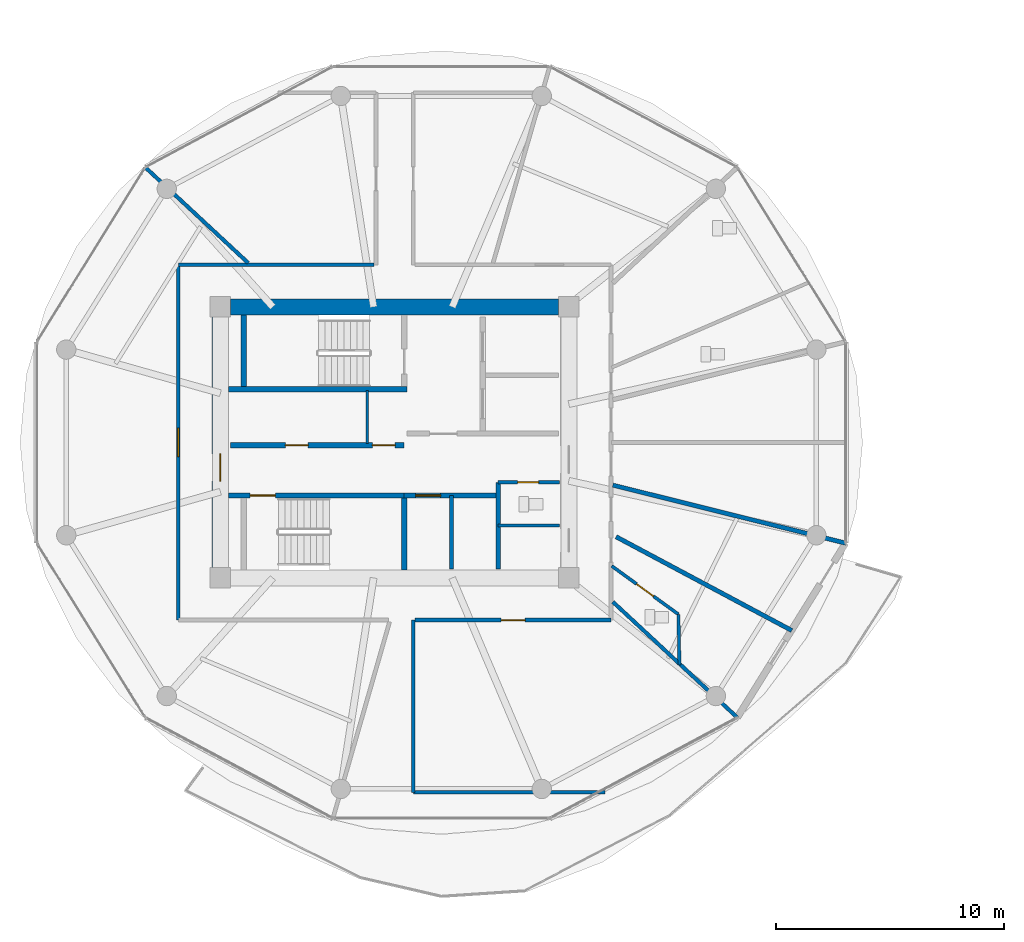
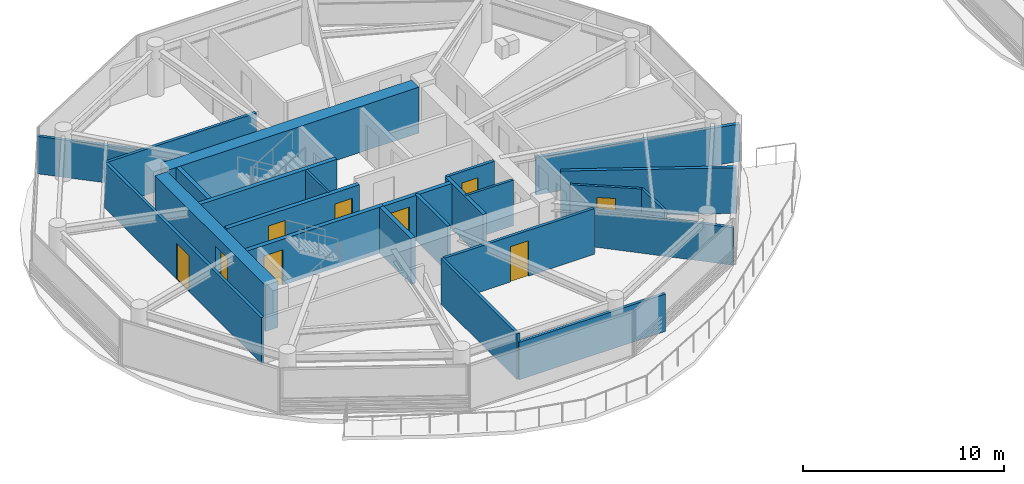
# One storey, part 13 of 24: 24 walls, 9 doors, 9 openings.
"""IFC4 building model written with IfcOpenShell, lengths in metres."""

from ifc_helpers import new_model, si_unit, direction, frame, frame_2d, origin, place, context, subcontext, project, spatial, rectangle, extrude, source, transform, mapped, material, layer, layer_set, type_object, type_shapes, element, fill, save


model = new_model("IFC4")

# Units and contexts
model_context = context("Model", 3, precision=1e-05, world=origin(), true_north=direction((0.0, 1.0)))
body_context = subcontext(model_context, "Body", "Model", "MODEL_VIEW")
ifc_project = project(units=[si_unit("LENGTHUNIT", "METRE"), si_unit("AREAUNIT", "SQUARE_METRE"), si_unit("VOLUMEUNIT", "CUBIC_METRE"), si_unit("PLANEANGLEUNIT", "RADIAN"), si_unit("MASSUNIT", "GRAM", prefix="KILO")], contexts=[model_context])

# Site, building, storey
site_placement = place(None, origin())
site = spatial("IfcSite", under=ifc_project, at=site_placement, CompositionType="ELEMENT")
building_placement = place(site_placement, origin())
building = spatial("IfcBuilding", under=site, at=building_placement, Name="Norrkilde Senior Care Towers", CompositionType="ELEMENT")
storey_placement = place(building_placement, frame((0.0, 0.0, 114.550048828125)))
storey = spatial("IfcBuildingStorey", under=building, at=storey_placement, Name="L35", CompositionType="ELEMENT", Elevation=114.550048828125)

# Wall
ifc_material_1 = material(Name="Concrete C60/75", Category="concrete")
ifc_layer_1 = layer(ifc_material_1, 0.719970703125)
ifc_layer_set_1 = layer_set([ifc_layer_1], Name="Concrete C60/75")
wall_type_1 = type_object("IfcWallType", Name="Core Shear Wall Z2 720", PredefinedType="SHEAR", material=ifc_layer_set_1)
shared_shape_1 = source(origin(), body_context, "Body", "SweptSolid", [
    extrude(rectangle(XDim=14.39990234375, YDim=0.719970703125, at=frame_2d((7.199951171875, 0.0))), origin(), (0.0, 0.0, 1.0), 2.7900390625),
])
wall_1_placement = place(storey_placement, frame((-35.199951171875, 5.949951171875, 0.0), z_axis=(0.0, 0.0, 1.0), x_axis=(1.0, 0.0, 0.0)))
element("IfcWall", 1, at=wall_1_placement, inside=storey, type_object=wall_type_1, Name="L35 Core W North Shear Wall", PredefinedType="SHEAR", context=body_context, shape_type="MappedRepresentation", body=[
    mapped(shared_shape_1, transform((0.0, 0.0, 0.0), x_axis=(1.0, 0.0, 0.0), y_axis=(0.0, 1.0, 0.0), z_axis=(0.0, 0.0, 1.0), scale=1.0)),
])

# Wall, opening, door
shared_shape_2 = source(origin(), body_context, "Body", "SweptSolid", [
    extrude(rectangle(XDim=11.0, YDim=0.719970703125, at=frame_2d((5.5, 0.0))), origin(), (0.0, 0.0, 1.0), 2.7900390625),
])
type_shapes(wall_type_1, [shared_shape_1, shared_shape_2])
wall_2_placement = place(storey_placement, frame((-35.64990234375, -5.5, 0.0), z_axis=(0.0, 0.0, 1.0), x_axis=(0.0, 1.0, 0.0)))
wall_2 = element("IfcWall", 2, at=wall_2_placement, inside=storey, type_object=wall_type_1, Name="L35 Core W West Shear Wall", PredefinedType="SHEAR", context=body_context, shape_type="MappedRepresentation", body=[
    mapped(shared_shape_2, transform((0.0, 0.0, 0.0), x_axis=(1.0, 0.0, 0.0), y_axis=(0.0, 1.0, 0.0), z_axis=(0.0, 0.0, 1.0), scale=1.0)),
])
opening_1_placement = place(wall_2_placement, frame((3.800048828125, 0.0, 0.0)))
opening_1 = element("IfcOpeningElement", 3, at=opening_1_placement, cuts=wall_2, Name="Opening D-04", PredefinedType="OPENING", context=body_context, shape_type="SweptSolid", body=[
    extrude(rectangle(XDim=1.199951171875, YDim=2.14990234375, at=frame_2d((0.60009765625, 1.074951171875))), frame((0.0, 0.369873046875, 0.0), z_axis=(0.0, -1.0, 0.0), x_axis=(1.0, 0.0, 0.0)), (0.0, 0.0, 1.0), 0.739990234375),
])
ifc_material_2 = material(Name="Galvanised Painted Steel", Category="steel")
door_type_1 = type_object("IfcDoorType", Name="Firefighting Lobby Fire Door 1200x2150", OperationType="NOTDEFINED", PredefinedType="DOOR", material=ifc_material_2)
shared_shape_3 = source(origin(), body_context, "Body", "SweptSolid", [
    extrude(rectangle(XDim=1.199951171875, YDim=2.14990234375, at=frame_2d((0.60009765625, 1.074951171875))), frame((0.0, 0.02490234375, 0.0), z_axis=(0.0, -1.0, 0.0), x_axis=(1.0, 0.0, 0.0)), (0.0, 0.0, 1.0), 0.050048828125),
])
type_shapes(door_type_1, [shared_shape_3])
door_1_placement = place(opening_1_placement, frame((1.199951171875, 0.0, 0.0), z_axis=(0.0, 0.0, 1.0), x_axis=(-1.0, 0.0, 0.0)))
door_1 = element("IfcDoor", 4, at=door_1_placement, inside=storey, type_object=door_type_1, Name="L35 Core W West Portal Door", OperationType="SINGLE_SWING_LEFT", OverallHeight=2.14990234375, OverallWidth=1.199951171875, PredefinedType="DOOR", context=body_context, shape_type="MappedRepresentation", body=[
    mapped(shared_shape_3, transform((0.0, 0.0, 0.0), x_axis=(1.0, 0.0, 0.0), y_axis=(0.0, 1.0, 0.0), z_axis=(0.0, 0.0, 1.0), scale=1.0)),
])
fill(opening_1, door_1)

# Wall, openings, doors
ifc_material_3 = material(Name="Concrete C45/55", Category="concrete")
ifc_layer_2 = layer(ifc_material_3, 0.239990234375)
ifc_layer_set_2 = layer_set([ifc_layer_2], Name="Concrete C45/55")
wall_type_2 = type_object("IfcWallType", Name="Lift and Plant Rated Enclosure Partition 240", PredefinedType="PARTITIONING", material=ifc_layer_set_2)
shared_shape_4 = source(origin(), body_context, "Body", "SweptSolid", [
    extrude(rectangle(XDim=7.619873046875, YDim=0.239990234375, at=frame_2d((3.81005859375, 0.0))), origin(), (0.0, 0.0, 1.0), 2.77490234375),
])
wall_3_placement = place(storey_placement, frame((-35.199951171875, -0.1298828125, 0.0), z_axis=(0.0, 0.0, 1.0), x_axis=(1.0, 0.0, 0.0)))
wall_3 = element("IfcWall", 5, at=wall_3_placement, inside=storey, type_object=wall_type_2, Name="WL-INT-L35-W-PKAS", PredefinedType="PARTITIONING", context=body_context, shape_type="MappedRepresentation", body=[
    mapped(shared_shape_4, transform((0.0, 0.0, 0.0), x_axis=(1.0, 0.0, 0.0), y_axis=(0.0, 1.0, 0.0), z_axis=(0.0, 0.0, 1.0), scale=1.0)),
])
opening_2_placement = place(wall_3_placement, frame((6.219970703125, 0.0, 0.0)))
opening_2 = element("IfcOpeningElement", 6, at=opening_2_placement, cuts=wall_3, Name="Opening D-10", PredefinedType="OPENING", context=body_context, shape_type="SweptSolid", body=[
    extrude(rectangle(XDim=1.0, YDim=2.10009765625, at=frame_2d((0.5, 1.050048828125))), frame((0.0, 0.1298828125, 0.0), z_axis=(0.0, -1.0, 0.0), x_axis=(1.0, 0.0, 0.0)), (0.0, 0.0, 1.0), 0.260009765625),
])
opening_3_placement = place(wall_3_placement, frame((2.39990234375, 0.0, 0.0)))
opening_3 = element("IfcOpeningElement", 7, at=opening_3_placement, cuts=wall_3, Name="Opening D-10", PredefinedType="OPENING", context=body_context, shape_type="SweptSolid", body=[
    extrude(rectangle(XDim=1.0, YDim=2.10009765625, at=frame_2d((0.5, 1.050048828125))), frame((0.0, 0.1298828125, 0.0), z_axis=(0.0, -1.0, 0.0), x_axis=(1.0, 0.0, 0.0)), (0.0, 0.0, 1.0), 0.260009765625),
])
door_type_2 = type_object("IfcDoorType", Name="Plant and Riser Rated Door 1000x2100", OperationType="NOTDEFINED", PredefinedType="DOOR", material=ifc_material_2)
shared_shape_5 = source(origin(), body_context, "Body", "SweptSolid", [
    extrude(rectangle(XDim=1.0, YDim=2.10009765625, at=frame_2d((0.5, 1.050048828125))), frame((0.0, 0.02490234375, 0.0), z_axis=(0.0, -1.0, 0.0), x_axis=(1.0, 0.0, 0.0)), (0.0, 0.0, 1.0), 0.050048828125),
])
type_shapes(door_type_2, [shared_shape_5])
door_2_placement = place(opening_2_placement, frame((1.0, 0.0, 0.0), z_axis=(0.0, 0.0, 1.0), x_axis=(-1.0, 0.0, 0.0)))
door_2 = element("IfcDoor", 8, at=door_2_placement, inside=storey, type_object=door_type_2, Name="L35 Electrical Riser W Door", OperationType="SINGLE_SWING_LEFT", OverallHeight=2.10009765625, OverallWidth=1.0, PredefinedType="DOOR", context=body_context, shape_type="MappedRepresentation", body=[
    mapped(shared_shape_5, transform((0.0, 0.0, 0.0), x_axis=(1.0, 0.0, 0.0), y_axis=(0.0, 1.0, 0.0), z_axis=(0.0, 0.0, 1.0), scale=1.0)),
])
fill(opening_2, door_2)
door_3_placement = place(opening_3_placement, frame((1.0, 0.0, 0.0), z_axis=(0.0, 0.0, 1.0), x_axis=(-1.0, 0.0, 0.0)))
door_3 = element("IfcDoor", 9, at=door_3_placement, inside=storey, type_object=door_type_2, Name="L35 Clean Supply Store W Door", OperationType="SINGLE_SWING_LEFT", OverallHeight=2.10009765625, OverallWidth=1.0, PredefinedType="DOOR", context=body_context, shape_type="MappedRepresentation", body=[
    mapped(shared_shape_5, transform((0.0, 0.0, 0.0), x_axis=(1.0, 0.0, 0.0), y_axis=(0.0, 1.0, 0.0), z_axis=(0.0, 0.0, 1.0), scale=1.0)),
])
fill(opening_3, door_3)

# Walls
ifc_material_4 = material(Name="Gypsum Acoustic Board")
ifc_layer_3 = layer(ifc_material_4, 0.114990234375)
ifc_layer_set_3 = layer_set([ifc_layer_3], Name="Gypsum Acoustic Board")
wall_type_3 = type_object("IfcWallType", Name="Internal Room Partition 115", PredefinedType="PARTITIONING", material=ifc_layer_set_3)
shared_shape_6 = source(origin(), body_context, "Body", "SweptSolid", [
    extrude(rectangle(XDim=2.330078125, YDim=0.114990234375, at=frame_2d((1.1650390625, 0.0))), origin(), (0.0, 0.0, 1.0), 2.77490234375),
])
type_shapes(wall_type_3, [shared_shape_6])
wall_4_placement = place(storey_placement, frame((-29.2099609375, -0.050048828125, 0.0), z_axis=(0.0, 0.0, 1.0), x_axis=(0.0, 1.0, 0.0)))
element("IfcWall", 10, at=wall_4_placement, inside=storey, type_object=wall_type_3, Name="WL-INT-L35-W-RISW", PredefinedType="PARTITIONING", context=body_context, shape_type="MappedRepresentation", body=[
    mapped(shared_shape_6, transform((0.0, 0.0, 0.0), x_axis=(1.0, 0.0, 0.0), y_axis=(0.0, 1.0, 0.0), z_axis=(0.0, 0.0, 1.0), scale=1.0)),
])
ifc_layer_4 = layer(ifc_material_3, 0.199951171875)
ifc_layer_set_4 = layer_set([ifc_layer_4], Name="Concrete C45/55")
wall_type_4 = type_object("IfcWallType", Name="Shaft Division and Plant Partition 200", PredefinedType="PARTITIONING", material=ifc_layer_set_4)
shared_shape_7 = source(origin(), body_context, "Body", "SweptSolid", [
    extrude(rectangle(XDim=3.800048828125, YDim=0.199951171875, at=frame_2d((1.89990234375, 0.0))), origin(), (0.0, 0.0, 1.0), 2.77490234375),
])
type_shapes(wall_type_4, [shared_shape_7])
wall_5_placement = place(storey_placement, frame((-23.449951171875, -5.550048828125, 0.0), z_axis=(0.0, 0.0, 1.0), x_axis=(0.0, 1.0, 0.0)))
element("IfcWall", 11, at=wall_5_placement, inside=storey, type_object=wall_type_4, Name="WL-INT-L35-W-PKBE", PredefinedType="PARTITIONING", context=body_context, shape_type="MappedRepresentation", body=[
    mapped(shared_shape_7, transform((0.0, 0.0, 0.0), x_axis=(1.0, 0.0, 0.0), y_axis=(0.0, 1.0, 0.0), z_axis=(0.0, 0.0, 1.0), scale=1.0)),
])

# Wall, opening, door
shared_shape_8 = source(origin(), body_context, "Body", "SweptSolid", [
    extrude(rectangle(XDim=4.130126953125, YDim=0.239990234375, at=frame_2d((2.06494140625, 0.0))), origin(), (0.0, 0.0, 1.0), 2.77490234375),
])
type_shapes(wall_type_2, [shared_shape_4, shared_shape_8])
wall_6_placement = place(storey_placement, frame((-27.580078125, -2.330078125, 0.0), z_axis=(0.0, 0.0, 1.0), x_axis=(1.0, 0.0, 0.0)))
wall_6 = element("IfcWall", 12, at=wall_6_placement, inside=storey, type_object=wall_type_2, Name="WL-INT-L35-W-PKBN", PredefinedType="PARTITIONING", context=body_context, shape_type="MappedRepresentation", body=[
    mapped(shared_shape_8, transform((0.0, 0.0, 0.0), x_axis=(1.0, 0.0, 0.0), y_axis=(0.0, 1.0, 0.0), z_axis=(0.0, 0.0, 1.0), scale=1.0)),
])
opening_4_placement = place(wall_6_placement, frame((0.5, 0.0, 0.0)))
opening_4 = element("IfcOpeningElement", 13, at=opening_4_placement, cuts=wall_6, Name="Opening LD-01", PredefinedType="OPENING", context=body_context, shape_type="SweptSolid", body=[
    extrude(rectangle(XDim=1.10009765625, YDim=2.199951171875, at=frame_2d((0.550048828125, 1.10009765625))), frame((0.0, 0.1298828125, 0.0), z_axis=(0.0, -1.0, 0.0), x_axis=(1.0, 0.0, 0.0)), (0.0, 0.0, 1.0), 0.260009765625),
])
ifc_material_5 = material(Name="Stainless Steel", Category="steel")
door_type_3 = type_object("IfcDoorType", Name="Lift Landing Sliding Door 1100x2200", OperationType="NOTDEFINED", PredefinedType="DOOR", material=ifc_material_5)
shared_shape_9 = source(origin(), body_context, "Body", "SweptSolid", [
    extrude(rectangle(XDim=1.10009765625, YDim=2.199951171875, at=frame_2d((0.550048828125, 1.10009765625))), frame((0.0, 0.02490234375, 0.0), z_axis=(0.0, -1.0, 0.0), x_axis=(1.0, 0.0, 0.0)), (0.0, 0.0, 1.0), 0.050048828125),
])
type_shapes(door_type_3, [shared_shape_9])
door_4_placement = place(opening_4_placement, frame((1.10009765625, 0.0, 0.0), z_axis=(0.0, 0.0, 1.0), x_axis=(-1.0, 0.0, 0.0)))
door_4 = element("IfcDoor", 14, at=door_4_placement, inside=storey, type_object=door_type_3, Name="L35 Passenger Lift W3 Landing Door", OperationType="SLIDING_TO_LEFT", OverallHeight=2.199951171875, OverallWidth=1.10009765625, PredefinedType="DOOR", context=body_context, shape_type="MappedRepresentation", body=[
    mapped(shared_shape_9, transform((0.0, 0.0, 0.0), x_axis=(1.0, 0.0, 0.0), y_axis=(0.0, 1.0, 0.0), z_axis=(0.0, 0.0, 1.0), scale=1.0)),
])
fill(opening_4, door_4)

# Wall
ifc_layer_5 = layer(ifc_material_3, 0.179931640625)
ifc_layer_set_5 = layer_set([ifc_layer_5], Name="Concrete C45/55")
wall_type_5 = type_object("IfcWallType", Name="Hoistway Division Rated Partition 180", PredefinedType="PARTITIONING", material=ifc_layer_set_5)
shared_shape_10 = source(origin(), body_context, "Body", "SweptSolid", [
    extrude(rectangle(XDim=3.219970703125, YDim=0.179931640625, at=frame_2d((1.60986328125, 0.0))), origin(), (0.0, 0.0, 1.0), 2.77490234375),
])
type_shapes(wall_type_5, [shared_shape_10])
wall_7_placement = place(storey_placement, frame((-25.5, -5.550048828125, 0.0), z_axis=(0.0, 0.0, 1.0), x_axis=(0.0, 1.0, 0.0)))
element("IfcWall", 15, at=wall_7_placement, inside=storey, type_object=wall_type_5, Name="WL-INT-L35-W-PL34", PredefinedType="PARTITIONING", context=body_context, shape_type="MappedRepresentation", body=[
    mapped(shared_shape_10, transform((0.0, 0.0, 0.0), x_axis=(1.0, 0.0, 0.0), y_axis=(0.0, 1.0, 0.0), z_axis=(0.0, 0.0, 1.0), scale=1.0)),
])

# Wall, opening, door
ifc_layer_6 = layer(ifc_material_4, 0.1650390625)
ifc_layer_set_6 = layer_set([ifc_layer_6], Name="Gypsum Acoustic Board")
wall_type_6 = type_object("IfcWallType", Name="Corridor Rated Partition 165", PredefinedType="PARTITIONING", material=ifc_layer_set_6)
shared_shape_11 = source(origin(), body_context, "Body", "SweptSolid", [
    extrude(rectangle(XDim=2.699951171875, YDim=0.1650390625, at=frame_2d((1.35009765625, 0.0))), origin(), (0.0, 0.0, 1.0), 2.77490234375),
])
wall_8_placement = place(storey_placement, frame((-23.449951171875, -1.75, 0.0), z_axis=(0.0, 0.0, 1.0), x_axis=(1.0, 0.0, 0.0)))
wall_8 = element("IfcWall", 16, at=wall_8_placement, inside=storey, type_object=wall_type_6, Name="WL-INT-L35-W-CSN", PredefinedType="PARTITIONING", context=body_context, shape_type="MappedRepresentation", body=[
    mapped(shared_shape_11, transform((0.0, 0.0, 0.0), x_axis=(1.0, 0.0, 0.0), y_axis=(0.0, 1.0, 0.0), z_axis=(0.0, 0.0, 1.0), scale=1.0)),
])
opening_5_placement = place(wall_8_placement, frame((0.85009765625, 0.0, 0.0)))
opening_5 = element("IfcOpeningElement", 17, at=opening_5_placement, cuts=wall_8, Name="Opening D-12", PredefinedType="OPENING", context=body_context, shape_type="SweptSolid", body=[
    extrude(rectangle(XDim=0.925048828125, YDim=2.10009765625, at=frame_2d((0.46240234375, 1.050048828125))), frame((0.0, 0.092529296875, 0.0), z_axis=(0.0, -1.0, 0.0), x_axis=(1.0, 0.0, 0.0)), (0.0, 0.0, 1.0), 0.18505859375),
])
door_type_4 = type_object("IfcDoorType", Name="Core Wet Room Rated Door 925x2100", OperationType="NOTDEFINED", PredefinedType="DOOR", material=ifc_material_2)
shared_shape_12 = source(origin(), body_context, "Body", "SweptSolid", [
    extrude(rectangle(XDim=0.925048828125, YDim=2.10009765625, at=frame_2d((0.46240234375, 1.050048828125))), frame((0.0, 0.02490234375, 0.0), z_axis=(0.0, -1.0, 0.0), x_axis=(1.0, 0.0, 0.0)), (0.0, 0.0, 1.0), 0.050048828125),
])
type_shapes(door_type_4, [shared_shape_12])
door_5_placement = place(opening_5_placement, origin())
door_5 = element("IfcDoor", 18, at=door_5_placement, inside=storey, type_object=door_type_4, Name="L35 Staff WC W Door", OperationType="SINGLE_SWING_LEFT", OverallHeight=2.10009765625, OverallWidth=0.925048828125, PredefinedType="DOOR", context=body_context, shape_type="MappedRepresentation", body=[
    mapped(shared_shape_12, transform((0.0, 0.0, 0.0), x_axis=(1.0, 0.0, 0.0), y_axis=(0.0, 1.0, 0.0), z_axis=(0.0, 0.0, 1.0), scale=1.0)),
])
fill(opening_5, door_5)

# Wall
ifc_layer_7 = layer(ifc_material_4, 0.139892578125)
ifc_layer_set_7 = layer_set([ifc_layer_7], Name="Gypsum Acoustic Board")
wall_type_7 = type_object("IfcWallType", Name="En-suite Wet Room Wall 140", PredefinedType="PARTITIONING", material=ifc_layer_set_7)
shared_shape_13 = source(origin(), body_context, "Body", "SweptSolid", [
    extrude(rectangle(XDim=2.699951171875, YDim=0.139892578125, at=frame_2d((1.35009765625, 0.0))), origin(), (0.0, 0.0, 1.0), 2.77490234375),
])
wall_9_placement = place(storey_placement, frame((-23.449951171875, -3.64990234375, 0.0), z_axis=(0.0, 0.0, 1.0), x_axis=(1.0, 0.0, 0.0)))
element("IfcWall", 19, at=wall_9_placement, inside=storey, type_object=wall_type_7, Name="WL-INT-L35-W-CS2H", PredefinedType="PARTITIONING", context=body_context, shape_type="MappedRepresentation", body=[
    mapped(shared_shape_13, transform((0.0, 0.0, 0.0), x_axis=(1.0, 0.0, 0.0), y_axis=(0.0, 1.0, 0.0), z_axis=(0.0, 0.0, 1.0), scale=1.0)),
])

# Wall, opening, door
shared_shape_14 = source(origin(), body_context, "Body", "SweptSolid", [
    extrude(rectangle(XDim=15.60009765625, YDim=0.1650390625, at=frame_2d((7.800048828125, 0.0))), origin(), (0.0, 0.0, 1.0), 2.77490234375),
])
wall_10_placement = place(storey_placement, frame((-37.5, -7.800048828125, 0.0), z_axis=(0.0, 0.0, 1.0), x_axis=(0.0, 1.0, 0.0)))
wall_10 = element("IfcWall", 20, at=wall_10_placement, inside=storey, type_object=wall_type_6, Name="WL-INT-L35-W-CRW-W-0", PredefinedType="PARTITIONING", context=body_context, shape_type="MappedRepresentation", body=[
    mapped(shared_shape_14, transform((0.0, 0.0, 0.0), x_axis=(1.0, 0.0, 0.0), y_axis=(0.0, 1.0, 0.0), z_axis=(0.0, 0.0, 1.0), scale=1.0)),
])
opening_6_placement = place(wall_10_placement, frame((7.175048828125, 0.0, 0.0)))
opening_6 = element("IfcOpeningElement", 21, at=opening_6_placement, cuts=wall_10, Name="Opening D-05", PredefinedType="OPENING", context=body_context, shape_type="SweptSolid", body=[
    extrude(rectangle(XDim=1.25, YDim=2.199951171875, at=frame_2d((0.625, 1.10009765625))), frame((0.0, 0.092529296875, 0.0), z_axis=(0.0, -1.0, 0.0), x_axis=(1.0, 0.0, 0.0)), (0.0, 0.0, 1.0), 0.18505859375),
])
ifc_material_6 = material(Name="Nordic Ash Timber", Category="wood")
door_type_5 = type_object("IfcDoorType", Name="Care Bedroom Bariatric Door 1250x2200", OperationType="NOTDEFINED", PredefinedType="DOOR", material=ifc_material_6)
shared_shape_15 = source(origin(), body_context, "Body", "SweptSolid", [
    extrude(rectangle(XDim=1.25, YDim=2.199951171875, at=frame_2d((0.625, 1.10009765625))), frame((0.0, 0.02490234375, 0.0), z_axis=(0.0, -1.0, 0.0), x_axis=(1.0, 0.0, 0.0)), (0.0, 0.0, 1.0), 0.050048828125),
])
type_shapes(door_type_5, [shared_shape_15])
door_6_placement = place(opening_6_placement, frame((1.25, 0.0, 0.0), z_axis=(0.0, 0.0, 1.0), x_axis=(-1.0, 0.0, 0.0)))
door_6 = element("IfcDoor", 22, at=door_6_placement, inside=storey, type_object=door_type_5, Name="L35 Geriatric Rehabilitation Clinic Door", OperationType="SINGLE_SWING_LEFT", OverallHeight=2.199951171875, OverallWidth=1.25, PredefinedType="DOOR", context=body_context, shape_type="MappedRepresentation", body=[
    mapped(shared_shape_15, transform((0.0, 0.0, 0.0), x_axis=(1.0, 0.0, 0.0), y_axis=(0.0, 1.0, 0.0), z_axis=(0.0, 0.0, 1.0), scale=1.0)),
])
fill(opening_6, door_6)

# Wall
ifc_layer_8 = layer(ifc_material_3, 0.239990234375)
ifc_layer_set_8 = layer_set([ifc_layer_8], Name="Concrete C45/55")
wall_type_8 = type_object("IfcWallType", Name="Shaft and Stair Enclosure Wall 240", PredefinedType="PARTITIONING", material=ifc_layer_set_8)
shared_shape_16 = source(origin(), body_context, "Body", "SweptSolid", [
    extrude(rectangle(XDim=7.830078125, YDim=0.239990234375, at=frame_2d((3.9150390625, 0.0))), origin(), (0.0, 0.0, 1.0), 2.7900390625),
])
wall_11_placement = place(storey_placement, frame((-35.2900390625, 2.330078125, 0.0), z_axis=(0.0, 0.0, 1.0), x_axis=(1.0, 0.0, 0.0)))
element("IfcWall", 23, at=wall_11_placement, inside=storey, type_object=wall_type_8, Name="WL-INT-L35-W-ST1S", PredefinedType="PARTITIONING", context=body_context, shape_type="MappedRepresentation", body=[
    mapped(shared_shape_16, transform((0.0, 0.0, 0.0), x_axis=(1.0, 0.0, 0.0), y_axis=(0.0, 1.0, 0.0), z_axis=(0.0, 0.0, 1.0), scale=1.0)),
])

# Wall, opening, door
wall_12_placement = place(storey_placement, frame((-35.2900390625, -2.330078125, 0.0), z_axis=(0.0, 0.0, 1.0), x_axis=(1.0, 0.0, 0.0)))
wall_12 = element("IfcWall", 24, at=wall_12_placement, inside=storey, type_object=wall_type_8, Name="WL-INT-L35-W-ST2N", PredefinedType="PARTITIONING", context=body_context, shape_type="MappedRepresentation", body=[
    mapped(shared_shape_16, transform((0.0, 0.0, 0.0), x_axis=(1.0, 0.0, 0.0), y_axis=(0.0, 1.0, 0.0), z_axis=(0.0, 0.0, 1.0), scale=1.0)),
])
opening_7_placement = place(wall_12_placement, frame((0.949951171875, 0.0, 0.0)))
opening_7 = element("IfcOpeningElement", 25, at=opening_7_placement, cuts=wall_12, Name="Opening D-03", PredefinedType="OPENING", context=body_context, shape_type="SweptSolid", body=[
    extrude(rectangle(XDim=1.10009765625, YDim=2.14990234375, at=frame_2d((0.550048828125, 1.074951171875))), frame((0.0, 0.1298828125, 0.0), z_axis=(0.0, -1.0, 0.0), x_axis=(1.0, 0.0, 0.0)), (0.0, 0.0, 1.0), 0.260009765625),
])
door_type_6 = type_object("IfcDoorType", Name="Stairwell Protected Fire Door 1100x2150", OperationType="NOTDEFINED", PredefinedType="DOOR", material=ifc_material_2)
shared_shape_17 = source(origin(), body_context, "Body", "SweptSolid", [
    extrude(rectangle(XDim=1.10009765625, YDim=2.14990234375, at=frame_2d((0.550048828125, 1.074951171875))), frame((0.0, 0.02490234375, 0.0), z_axis=(0.0, -1.0, 0.0), x_axis=(1.0, 0.0, 0.0)), (0.0, 0.0, 1.0), 0.050048828125),
])
type_shapes(door_type_6, [shared_shape_17])
door_7_placement = place(opening_7_placement, frame((1.10009765625, 0.0, 0.0), z_axis=(0.0, 0.0, 1.0), x_axis=(-1.0, 0.0, 0.0)))
door_7 = element("IfcDoor", 26, at=door_7_placement, inside=storey, type_object=door_type_6, Name="L35 Stair W2 Fire Door", OperationType="SINGLE_SWING_RIGHT", OverallHeight=2.14990234375, OverallWidth=1.10009765625, PredefinedType="DOOR", context=body_context, shape_type="MappedRepresentation", body=[
    mapped(shared_shape_17, transform((0.0, 0.0, 0.0), x_axis=(1.0, 0.0, 0.0), y_axis=(0.0, 1.0, 0.0), z_axis=(0.0, 0.0, 1.0), scale=1.0)),
])
fill(opening_7, door_7)

# Walls
shared_shape_18 = source(origin(), body_context, "Body", "SweptSolid", [
    extrude(rectangle(XDim=3.14013671875, YDim=0.239990234375, at=frame_2d((1.570068359375, 0.0))), origin(), (0.0, 0.0, 1.0), 2.7900390625),
])
type_shapes(wall_type_8, [shared_shape_16, shared_shape_18])
for number, where, z_axis, x_axis, name in (
    (27, (-34.6201171875, 2.449951171875, 0.0), (0.0, 0.0, 1.0), (0.0, 1.0, 0.0), "WL-INT-L35-W-ST1W"),
    (28, (-27.580078125, -5.590087890625, 0.0), (0.0, 0.0, 1.0), (0.0, 1.0, 0.0), "WL-INT-L35-W-ST2E"),
):
    element("IfcWall", number, at=place(storey_placement, frame(where, z_axis=z_axis, x_axis=x_axis)), inside=storey, type_object=wall_type_8, Name=name, PredefinedType="PARTITIONING", context=body_context, shape_type="MappedRepresentation", body=[
        mapped(shared_shape_18, transform((0.0, 0.0, 0.0), x_axis=(1.0, 0.0, 0.0), y_axis=(0.0, 1.0, 0.0), z_axis=(0.0, 0.0, 1.0), scale=1.0)),
    ])
shared_shape_19 = source(origin(), body_context, "Body", "SweptSolid", [
    extrude(rectangle(XDim=8.60009765625, YDim=0.1650390625, at=frame_2d((4.300048828125, 0.0))), origin(), (0.0, 0.0, 1.0), 2.77490234375),
])
wall_13_placement = place(storey_placement, frame((-37.5, 7.800048828125, 0.0), z_axis=(0.0, 0.0, 1.0), x_axis=(1.0, 0.0, 0.0)))
element("IfcWall", 29, at=wall_13_placement, inside=storey, type_object=wall_type_6, Name="WL-INT-L35-W-CRW-N-0", PredefinedType="PARTITIONING", context=body_context, shape_type="MappedRepresentation", body=[
    mapped(shared_shape_19, transform((0.0, 0.0, 0.0), x_axis=(1.0, 0.0, 0.0), y_axis=(0.0, 1.0, 0.0), z_axis=(0.0, 0.0, 1.0), scale=1.0)),
])

# Wall, opening, door
wall_14_placement = place(storey_placement, frame((-18.5, -7.800048828125, 0.0), z_axis=(0.0, 0.0, 1.0), x_axis=(-1.0, 0.0, 0.0)))
wall_14 = element("IfcWall", 30, at=wall_14_placement, inside=storey, type_object=wall_type_6, Name="WL-INT-L35-W-CRW-S-0", PredefinedType="PARTITIONING", context=body_context, shape_type="MappedRepresentation", body=[
    mapped(shared_shape_19, transform((0.0, 0.0, 0.0), x_axis=(1.0, 0.0, 0.0), y_axis=(0.0, 1.0, 0.0), z_axis=(0.0, 0.0, 1.0), scale=1.0)),
])
opening_8_placement = place(wall_14_placement, frame((3.77490234375, 0.0, 0.0)))
opening_8 = element("IfcOpeningElement", 31, at=opening_8_placement, cuts=wall_14, Name="Opening D-06", PredefinedType="OPENING", context=body_context, shape_type="SweptSolid", body=[
    extrude(rectangle(XDim=1.050048828125, YDim=2.14990234375, at=frame_2d((0.52490234375, 1.074951171875))), frame((0.0, 0.092529296875, 0.0), z_axis=(0.0, -1.0, 0.0), x_axis=(1.0, 0.0, 0.0)), (0.0, 0.0, 1.0), 0.18505859375),
])
door_type_7 = type_object("IfcDoorType", Name="Apartment Entrance Fire Door 1050x2150", OperationType="NOTDEFINED", PredefinedType="DOOR", material=ifc_material_6)
shared_shape_20 = source(origin(), body_context, "Body", "SweptSolid", [
    extrude(rectangle(XDim=1.050048828125, YDim=2.14990234375, at=frame_2d((0.52490234375, 1.074951171875))), frame((0.0, 0.02490234375, 0.0), z_axis=(0.0, -1.0, 0.0), x_axis=(1.0, 0.0, 0.0)), (0.0, 0.0, 1.0), 0.050048828125),
])
type_shapes(door_type_7, [shared_shape_20])
door_8_placement = place(opening_8_placement, frame((1.050048828125, 0.0, 0.0), z_axis=(0.0, 0.0, 1.0), x_axis=(-1.0, 0.0, 0.0)))
door_8 = element("IfcDoor", 32, at=door_8_placement, inside=storey, type_object=door_type_7, Name="L35 Reading Lounge SEL Door", OperationType="SINGLE_SWING_RIGHT", OverallHeight=2.14990234375, OverallWidth=1.050048828125, PredefinedType="DOOR", context=body_context, shape_type="MappedRepresentation", body=[
    mapped(shared_shape_20, transform((0.0, 0.0, 0.0), x_axis=(1.0, 0.0, 0.0), y_axis=(0.0, 1.0, 0.0), z_axis=(0.0, 0.0, 1.0), scale=1.0)),
])
fill(opening_8, door_8)

# Walls
shared_shape_21 = source(origin(), body_context, "Body", "SweptSolid", [
    extrude(rectangle(XDim=6.186767578125, YDim=0.1650390625, at=frame_2d((3.09326171875, 0.0))), origin(), (0.0, 0.0, 1.0), 2.27490234375),
])
wall_15_placement = place(storey_placement, frame((-34.428955078125, 7.8798828125, 0.0), z_axis=(0.0, 0.0, 1.0), x_axis=(-0.732501077882, 0.680765870841, 0.0)))
element("IfcWall", 33, at=wall_15_placement, inside=storey, type_object=wall_type_6, Name="WL-INT-L35-W-DEM-04-0", PredefinedType="PARTITIONING", context=body_context, shape_type="MappedRepresentation", body=[
    mapped(shared_shape_21, transform((0.0, 0.0, 0.0), x_axis=(1.0, 0.0, 0.0), y_axis=(0.0, 1.0, 0.0), z_axis=(0.0, 0.0, 1.0), scale=1.0)),
])
shared_shape_22 = source(origin(), body_context, "Body", "SweptSolid", [
    extrude(rectangle(XDim=7.482177734375, YDim=0.1650390625, at=frame_2d((3.7412109375, 0.0))), origin(), (0.0, 0.0, 1.0), 2.27490234375),
])
wall_16_placement = place(storey_placement, frame((-18.419921875, -6.998046875, 0.0), z_axis=(0.0, 0.0, 1.0), x_axis=(0.732508698043, -0.680757671489, 0.0)))
element("IfcWall", 34, at=wall_16_placement, inside=storey, type_object=wall_type_6, Name="WL-INT-L35-W-DEM-10-0", PredefinedType="PARTITIONING", context=body_context, shape_type="MappedRepresentation", body=[
    mapped(shared_shape_22, transform((0.0, 0.0, 0.0), x_axis=(1.0, 0.0, 0.0), y_axis=(0.0, 1.0, 0.0), z_axis=(0.0, 0.0, 1.0), scale=1.0)),
])
shared_shape_23 = source(origin(), body_context, "Body", "SweptSolid", [
    extrude(rectangle(XDim=7.56005859375, YDim=0.1650390625, at=frame_2d((3.780029296875, 0.0))), origin(), (0.0, 0.0, 1.0), 2.77490234375),
])
wall_17_placement = place(storey_placement, frame((-27.179931640625, -15.360107421875, 0.0), z_axis=(0.0, 0.0, 1.0), x_axis=(0.0, 1.0, 0.0)))
element("IfcWall", 35, at=wall_17_placement, inside=storey, type_object=wall_type_6, Name="WL-INT-L35-W-PKW-SEL", PredefinedType="PARTITIONING", context=body_context, shape_type="MappedRepresentation", body=[
    mapped(shared_shape_23, transform((0.0, 0.0, 0.0), x_axis=(1.0, 0.0, 0.0), y_axis=(0.0, 1.0, 0.0), z_axis=(0.0, 0.0, 1.0), scale=1.0)),
])
shared_shape_24 = source(origin(), body_context, "Body", "SweptSolid", [
    extrude(rectangle(XDim=8.406982421875, YDim=0.1650390625, at=frame_2d((4.20361328125, 0.0))), origin(), (0.0, 0.0, 1.0), 2.27490234375),
])
type_shapes(wall_type_6, [shared_shape_11, shared_shape_14, shared_shape_19, shared_shape_21, shared_shape_22, shared_shape_23, shared_shape_24])
wall_18_placement = place(storey_placement, frame((-27.179931640625, -15.360107421875, 0.0), z_axis=(0.0, 0.0, 1.0), x_axis=(1.0, 0.0, 0.0)))
element("IfcWall", 36, at=wall_18_placement, inside=storey, type_object=wall_type_6, Name="WL-INT-L35-W-PKH-SEL-0", PredefinedType="PARTITIONING", context=body_context, shape_type="MappedRepresentation", body=[
    mapped(shared_shape_24, transform((0.0, 0.0, 0.0), x_axis=(1.0, 0.0, 0.0), y_axis=(0.0, 1.0, 0.0), z_axis=(0.0, 0.0, 1.0), scale=1.0)),
])
ifc_layer_9 = layer(ifc_material_4, 0.18994140625)
ifc_layer_set_9 = layer_set([ifc_layer_9], Name="Gypsum Acoustic Board")
wall_type_9 = type_object("IfcWallType", Name="Unit Demising Acoustic Wall 190", PredefinedType="PARTITIONING", material=ifc_layer_set_9)
shared_shape_25 = source(origin(), body_context, "Body", "SweptSolid", [
    extrude(rectangle(XDim=10.5556640625, YDim=0.18994140625, at=frame_2d((5.27783203125, 0.0))), origin(), (0.0, 0.0, 1.0), 2.27490234375),
])
wall_19_placement = place(storey_placement, frame((-18.419921875, -1.875, 0.0), z_axis=(0.0, 0.0, 1.0), x_axis=(0.970363857851, -0.241648470667, 0.0)))
element("IfcWall", 37, at=wall_19_placement, inside=storey, type_object=wall_type_9, Name="WL-INT-L35-W-DEM-11-0", PredefinedType="PARTITIONING", context=body_context, shape_type="MappedRepresentation", body=[
    mapped(shared_shape_25, transform((0.0, 0.0, 0.0), x_axis=(1.0, 0.0, 0.0), y_axis=(0.0, 1.0, 0.0), z_axis=(0.0, 0.0, 1.0), scale=1.0)),
])
shared_shape_26 = source(origin(), body_context, "Body", "SweptSolid", [
    extrude(rectangle(XDim=8.744384765625, YDim=0.18994140625, at=frame_2d((4.3720703125, 0.0))), origin(), (0.0, 0.0, 1.0), 2.77490234375),
])
type_shapes(wall_type_9, [shared_shape_25, shared_shape_26])
wall_20_placement = place(storey_placement, frame((-18.27294921875, -4.141845703125, 0.0), z_axis=(0.0, 0.0, 1.0), x_axis=(0.882252449936, -0.470776607938, 0.0)))
element("IfcWall", 38, at=wall_20_placement, inside=storey, type_object=wall_type_9, Name="WL-INT-L35-W-CMID-10", PredefinedType="PARTITIONING", context=body_context, shape_type="MappedRepresentation", body=[
    mapped(shared_shape_26, transform((0.0, 0.0, 0.0), x_axis=(1.0, 0.0, 0.0), y_axis=(0.0, 1.0, 0.0), z_axis=(0.0, 0.0, 1.0), scale=1.0)),
])

# Wall, opening, door
shared_shape_27 = source(origin(), body_context, "Body", "SweptSolid", [
    extrude(rectangle(XDim=3.621337890625, YDim=0.139892578125, at=frame_2d((1.810546875, 0.0))), origin(), (0.0, 0.0, 1.0), 2.77490234375),
])
wall_21_placement = place(storey_placement, frame((-18.469970703125, -5.421875, 0.0), z_axis=(0.0, 0.0, 1.0), x_axis=(0.80968252222, -0.586868139544, 0.0)))
wall_21 = element("IfcWall", 39, at=wall_21_placement, inside=storey, type_object=wall_type_7, Name="WL-INT-L35-W-ES-10A", PredefinedType="PARTITIONING", context=body_context, shape_type="MappedRepresentation", body=[
    mapped(shared_shape_27, transform((0.0, 0.0, 0.0), x_axis=(1.0, 0.0, 0.0), y_axis=(0.0, 1.0, 0.0), z_axis=(0.0, 0.0, 1.0), scale=1.0)),
])
opening_9_placement = place(wall_21_placement, frame((1.3505859375, 0.0, 0.0)))
opening_9 = element("IfcOpeningElement", 40, at=opening_9_placement, cuts=wall_21, Name="Opening D-08", PredefinedType="OPENING", context=body_context, shape_type="SweptSolid", body=[
    extrude(rectangle(XDim=0.919921875, YDim=2.10009765625, at=frame_2d((0.4599609375, 1.050048828125))), frame((0.0, 0.079833984375, 0.0), z_axis=(0.0, -1.0, 0.0), x_axis=(1.0, 0.0, 0.0)), (0.0, 0.0, 1.0), 0.159912109375),
])
door_type_8 = type_object("IfcDoorType", Name="Accessible Wet Room Door 920x2100", OperationType="NOTDEFINED", PredefinedType="DOOR", material=ifc_material_6)
shared_shape_28 = source(origin(), body_context, "Body", "SweptSolid", [
    extrude(rectangle(XDim=0.919921875, YDim=2.10009765625, at=frame_2d((0.4599609375, 1.050048828125))), frame((0.0, 0.02490234375, 0.0), z_axis=(0.0, -1.0, 0.0), x_axis=(1.0, 0.0, 0.0)), (0.0, 0.0, 1.0), 0.050048828125),
])
type_shapes(door_type_8, [shared_shape_28])
door_9_placement = place(opening_9_placement, origin())
door_9 = element("IfcDoor", 41, at=door_9_placement, inside=storey, type_object=door_type_8, Name="L35 Care Suite 3510A Bathroom Door", OperationType="SINGLE_SWING_LEFT", OverallHeight=2.10009765625, OverallWidth=0.919921875, PredefinedType="DOOR", context=body_context, shape_type="MappedRepresentation", body=[
    mapped(shared_shape_28, transform((0.0, 0.0, 0.0), x_axis=(1.0, 0.0, 0.0), y_axis=(0.0, 1.0, 0.0), z_axis=(0.0, 0.0, 1.0), scale=1.0)),
])
fill(opening_9, door_9)

# Wall
shared_shape_29 = source(origin(), body_context, "Body", "SweptSolid", [
    extrude(rectangle(XDim=2.224853515625, YDim=0.139892578125, at=frame_2d((1.1123046875, 0.0))), origin(), (0.0, 0.0, 1.0), 2.77490234375),
])
type_shapes(wall_type_7, [shared_shape_13, shared_shape_27, shared_shape_29])
wall_22_placement = place(storey_placement, frame((-15.537841796875, -7.547119140625, 0.0), z_axis=(0.0, 0.0, 1.0), x_axis=(0.019971869027, -0.999800542332, 0.0)))
element("IfcWall", 42, at=wall_22_placement, inside=storey, type_object=wall_type_7, Name="WL-INT-L35-W-EF-10A", PredefinedType="PARTITIONING", context=body_context, shape_type="MappedRepresentation", body=[
    mapped(shared_shape_29, transform((0.0, 0.0, 0.0), x_axis=(1.0, 0.0, 0.0), y_axis=(0.0, 1.0, 0.0), z_axis=(0.0, 0.0, 1.0), scale=1.0)),
])

save(model, "model.ifc")
